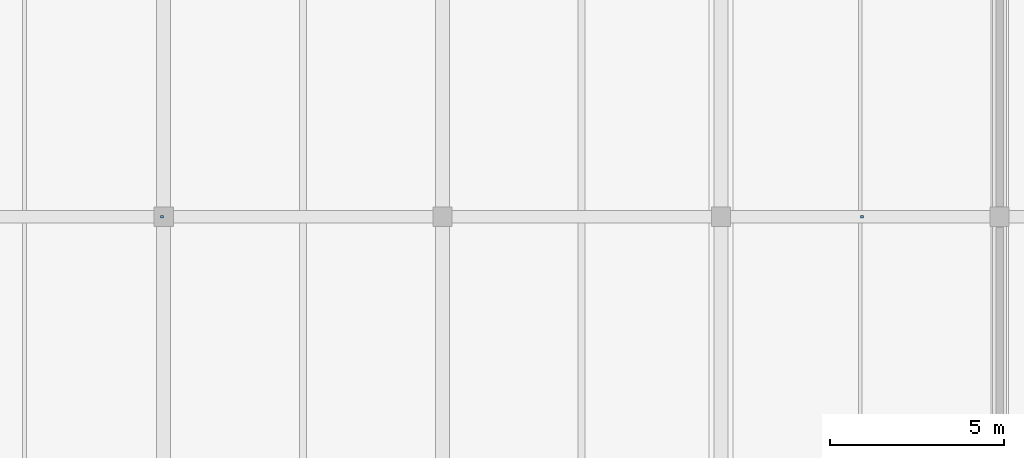
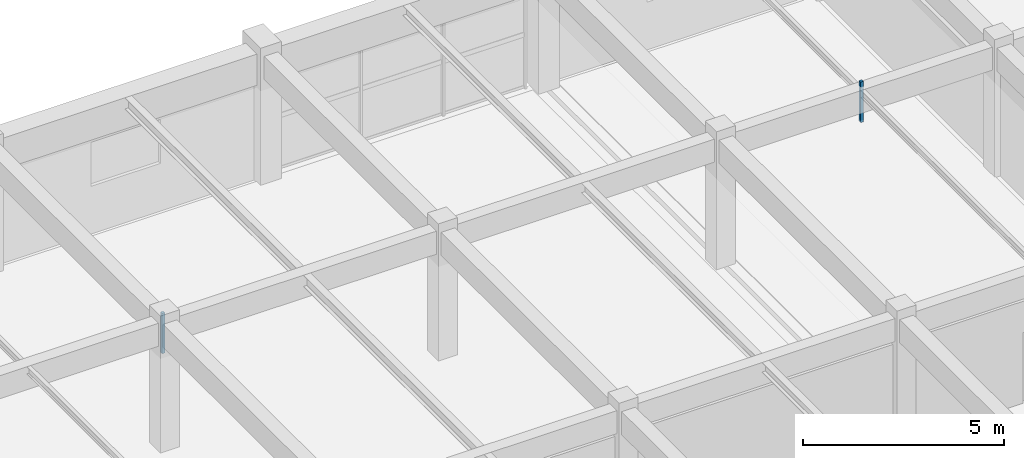
# One storey, part 53 of 63: 2 discrete accessories.
"""IFC4 building model written with IfcOpenShell, lengths in metres."""

from ifc_helpers import new_model, si_unit, direction, frame, origin, origin_2d, place, context, subcontext, project, spatial, rectangle, extrude, material, layer, layer_set, type_object, element, save


model = new_model("IFC4")

# Units and contexts
model_context = context("Model", 3, precision=1e-05, world=origin(), true_north=direction((0.0, 1.0)))
body_context = subcontext(model_context, "Body", "Model", "MODEL_VIEW")
ifc_project = project(units=[si_unit("LENGTHUNIT", "METRE"), si_unit("AREAUNIT", "SQUARE_METRE"), si_unit("VOLUMEUNIT", "CUBIC_METRE"), si_unit("PLANEANGLEUNIT", "RADIAN"), si_unit("MASSUNIT", "GRAM", prefix="KILO")], contexts=[model_context])

# Site, building, storey
site_placement = place(None, origin())
site = spatial("IfcSite", under=ifc_project, at=site_placement, CompositionType="ELEMENT")
building_placement = place(site_placement, origin())
building = spatial("IfcBuilding", under=site, at=building_placement, Name="Varnabhumi Central Station", CompositionType="ELEMENT")
storey_placement = place(building_placement, frame((0.0, 0.0, 20.39990234375)))
storey = spatial("IfcBuildingStorey", under=building, at=storey_placement, Name="L04", CompositionType="ELEMENT", Elevation=20.39990234375)

# Discrete accessories
ifc_material = material(Name="Structural steel E350", Category="steel")
ifc_layer = layer(ifc_material, 0.159912109375, Name="Structural steel E350", Category="steel")
ifc_layer_set = layer_set([ifc_layer], Name="Structural steel E350")
discrete_accessory_type = type_object("IfcDiscreteAccessoryType", Name="ACC-SHADE-BRKT", PredefinedType="BRACKET", material=ifc_layer_set)
for number, where, z_axis, x_axis, name in (
    (1, (47.949951171875, 27.0, 2.840087890625), (0.0, 0.0, 1.0), (1.0, 0.0, 0.0), "Electronic Interlocking and Station Kavach Relay Room Ceiling Hanger"),
    (2, (68.050048828125, 27.0, 2.840087890625), (0.0, 0.0, 1.0), (1.0, 0.0, 0.0), "Electronic Interlocking and Station Kavach Relay Room Ceiling Hanger"),
):
    element("IfcDiscreteAccessory", number, at=place(storey_placement, frame(where, z_axis=z_axis, x_axis=x_axis)), inside=storey, type_object=discrete_accessory_type, Name=name, PredefinedType="BRACKET", context=body_context, shape_type="SweptSolid", body=[
        extrude(rectangle(XDim=0.080078125, YDim=0.080078125, at=origin_2d()), origin(), (0.0, 0.0, 1.0), 1.22998046875),
    ])

save(model, "model.ifc")
